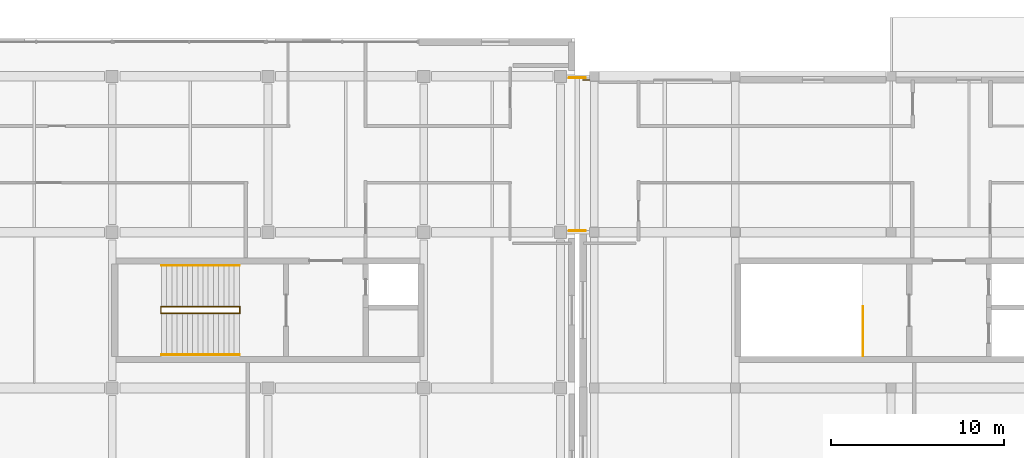
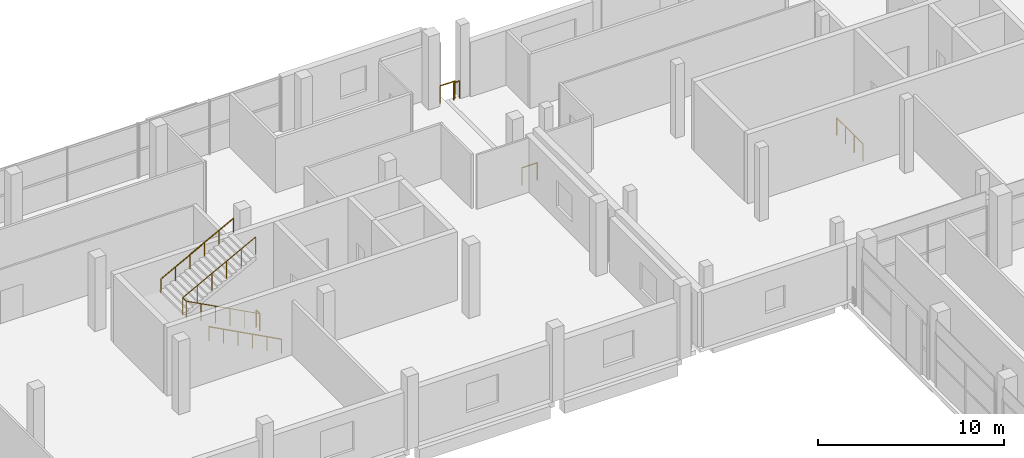
# One storey, part 110 of 111: 8 railings.
"""IFC4 building model written with IfcOpenShell, lengths in metres."""

from ifc_helpers import new_model, si_unit, direction, frame, origin, origin_2d, place, context, subcontext, project, spatial, circle, extrude, material, type_object, element, save


model = new_model("IFC4")

# Units and contexts
model_context = context("Model", 3, precision=1e-05, world=origin(), true_north=direction((0.0, 1.0)))
body_context = subcontext(model_context, "Body", "Model", "MODEL_VIEW")
ifc_project = project(units=[si_unit("LENGTHUNIT", "METRE"), si_unit("AREAUNIT", "SQUARE_METRE"), si_unit("VOLUMEUNIT", "CUBIC_METRE"), si_unit("PLANEANGLEUNIT", "RADIAN"), si_unit("MASSUNIT", "GRAM", prefix="KILO"), si_unit("THERMODYNAMICTEMPERATUREUNIT", "KELVIN"), si_unit("POWERUNIT", "WATT")], contexts=[model_context])

# Site, building, storey
site_placement = place(None, origin())
site = spatial("IfcSite", under=ifc_project, at=site_placement, CompositionType="ELEMENT")
building_placement = place(site_placement, origin())
building = spatial("IfcBuilding", under=site, at=building_placement, Name="Sindhuravela Promenade Stadium", CompositionType="ELEMENT")
storey_placement = place(building_placement, frame((0.0, 0.0, 9.60009765625)))
storey = spatial("IfcBuildingStorey", under=building, at=storey_placement, Name="L02", CompositionType="ELEMENT", Elevation=9.60009765625)

# Railings
ifc_material = material(Name="Architectural wrought steel E350", Category="steel")
railing_type_1 = type_object("IfcRailingType", Name="RL-GRD-1150", PredefinedType="GUARDRAIL", material=ifc_material)
railing_1_placement = place(storey_placement, frame((162.199951171875, 152.800048828125, 0.0)))
element("IfcRailing", 1, at=railing_1_placement, inside=storey, type_object=railing_type_1, Name="Perimeter edge return guard Pavilion NE L02", PredefinedType="GUARDRAIL", context=body_context, shape_type="SweptSolid", body=[
    extrude(circle(Radius=0.02392578125, at=origin_2d()), frame((0.0, 0.0, 1.1259765625), z_axis=(1.0, 0.0, 0.0), x_axis=(0.0, 1.0, 0.0)), (0.0, 0.0, 1.0), 0.3701171875),
    extrude(circle(Radius=0.02099609375, at=origin_2d()), origin(), (0.0, 0.0, 1.0), 1.101806640625),
    extrude(circle(Radius=0.02099609375, at=origin_2d()), frame((0.3701171875, 0.0, 0.0)), (0.0, 0.0, 1.0), 1.101806640625),
])
for number, where, name in (
    (2, (161.39990234375, 144.080078125, 0.0), "Bridge edge guardrail GR01-87"),
    (3, (161.39990234375, 152.919921875, 0.0), "Bridge edge guardrail GR01-88"),
):
    element("IfcRailing", number, at=place(storey_placement, frame(where)), inside=storey, type_object=railing_type_1, Name=name, PredefinedType="GUARDRAIL", context=body_context, shape_type="SweptSolid", body=[
        extrude(circle(Radius=0.02392578125, at=origin_2d()), frame((0.0, 0.0, 1.1259765625), z_axis=(1.0, 0.0, 0.0), x_axis=(0.0, 1.0, 0.0)), (0.0, 0.0, 1.0), 0.9501953125),
        extrude(circle(Radius=0.02099609375, at=origin_2d()), origin(), (0.0, 0.0, 1.0), 1.101806640625),
        extrude(circle(Radius=0.02099609375, at=origin_2d()), frame((0.9501953125, 0.0, 0.0)), (0.0, 0.0, 1.0), 1.101806640625),
    ])
railing_2_placement = place(storey_placement, frame((142.35009765625, 139.31005859375, 0.0)))
element("IfcRailing", 4, at=railing_2_placement, inside=storey, type_object=railing_type_1, Name="Stair ST10 inner well guard (L02)", PredefinedType="GUARDRAIL", context=body_context, shape_type="SweptSolid", body=[
    extrude(circle(Radius=0.02392578125, at=origin_2d()), frame((0.0, 0.0, 1.1259765625), z_axis=(-0.8836546633431795, 0.0, 0.46813933390802775), x_axis=(0.0, -1.0, 0.0)), (0.0, 0.0, 1.0), 5.12646484375),
    extrude(circle(Radius=0.02392578125, at=origin_2d()), frame((-4.530029296875, 0.0, 3.52587890625), z_axis=(0.0, 1.0, 0.0), x_axis=(-1.0, 0.0, 0.0)), (0.0, 0.0, 1.0), 0.3798828125),
    extrude(circle(Radius=0.02392578125, at=origin_2d()), frame((-4.530029296875, 0.3798828125, 3.52587890625), z_axis=(0.8836546633431795, 0.0, 0.46813933390802775), x_axis=(0.0, 1.0, 0.0)), (0.0, 0.0, 1.0), 5.12646484375),
    extrude(circle(Radius=0.02099609375, at=origin_2d()), origin(), (0.0, 0.0, 1.0), 1.101806640625),
    extrude(circle(Radius=0.02099609375, at=origin_2d()), frame((-0.906005859375, 0.0, 0.47998046875)), (0.0, 0.0, 1.0), 1.101806640625),
    extrude(circle(Radius=0.02099609375, at=origin_2d()), frame((-1.81201171875, 0.0, 0.9599609375)), (0.0, 0.0, 1.0), 1.101806640625),
    extrude(circle(Radius=0.02099609375, at=origin_2d()), frame((-2.718017578125, 0.0, 1.43994140625)), (0.0, 0.0, 1.0), 1.101806640625),
    extrude(circle(Radius=0.02099609375, at=origin_2d()), frame((-3.6240234375, 0.0, 1.919921875)), (0.0, 0.0, 1.0), 1.101806640625),
    extrude(circle(Radius=0.02099609375, at=origin_2d()), frame((-4.530029296875, 0.0, 2.39990234375)), (0.0, 0.0, 1.0), 1.101806640625),
    extrude(circle(Radius=0.02099609375, at=origin_2d()), frame((-4.530029296875, 0.3798828125, 2.39990234375)), (0.0, 0.0, 1.0), 1.101806640625),
    extrude(circle(Radius=0.02099609375, at=origin_2d()), frame((-3.6240234375, 0.3798828125, 2.8798828125)), (0.0, 0.0, 1.0), 1.101806640625),
    extrude(circle(Radius=0.02099609375, at=origin_2d()), frame((-2.718017578125, 0.3798828125, 3.35986328125)), (0.0, 0.0, 1.0), 1.101806640625),
    extrude(circle(Radius=0.02099609375, at=origin_2d()), frame((-1.81201171875, 0.3798828125, 3.83984375)), (0.0, 0.0, 1.0), 1.101806640625),
    extrude(circle(Radius=0.02099609375, at=origin_2d()), frame((-0.906005859375, 0.3798828125, 4.31982421875)), (0.0, 0.0, 1.0), 1.101806640625),
    extrude(circle(Radius=0.02099609375, at=origin_2d()), frame((0.0, 0.3798828125, 4.7998046875)), (0.0, 0.0, 1.0), 1.101806640625),
])
railing_3_placement = place(storey_placement, frame((142.3798828125, 139.31005859375, 0.0)))
element("IfcRailing", 5, at=railing_3_placement, inside=storey, type_object=railing_type_1, Name="Stair ST10 landing well slot guard (L02)", PredefinedType="GUARDRAIL", context=body_context, shape_type="SweptSolid", body=[
    extrude(circle(Radius=0.02392578125, at=origin_2d()), frame((0.0, 0.0, 1.1259765625), z_axis=(0.0, 1.0, 0.0), x_axis=(-1.0, 0.0, 0.0)), (0.0, 0.0, 1.0), 0.3798828125),
    extrude(circle(Radius=0.02099609375, at=origin_2d()), origin(), (0.0, 0.0, 1.0), 1.101806640625),
    extrude(circle(Radius=0.02099609375, at=origin_2d()), frame((0.0, 0.3798828125, 0.0)), (0.0, 0.0, 1.0), 1.101806640625),
])
railing_4_placement = place(storey_placement, frame((178.3798828125, 136.860107421875, 0.0)))
element("IfcRailing", 6, at=railing_4_placement, inside=storey, type_object=railing_type_1, Name="Stair GS04 top landing well guard (L02)", PredefinedType="GUARDRAIL", context=body_context, shape_type="SweptSolid", body=[
    extrude(circle(Radius=0.02392578125, at=origin_2d()), frame((0.0, 0.0, 1.1259765625), z_axis=(0.0, 1.0, 0.0), x_axis=(-1.0, 0.0, 0.0)), (0.0, 0.0, 1.0), 2.829833984375),
    extrude(circle(Radius=0.02099609375, at=origin_2d()), origin(), (0.0, 0.0, 1.0), 1.101806640625),
    extrude(circle(Radius=0.02099609375, at=origin_2d()), frame((0.0, 0.943359375, 0.0)), (0.0, 0.0, 1.0), 1.101806640625),
    extrude(circle(Radius=0.02099609375, at=origin_2d()), frame((0.0, 1.886474609375, 0.0)), (0.0, 0.0, 1.0), 1.101806640625),
    extrude(circle(Radius=0.02099609375, at=origin_2d()), frame((0.0, 2.829833984375, 0.0)), (0.0, 0.0, 1.0), 1.101806640625),
])
railing_type_2 = type_object("IfcRailingType", Name="RL-HND-920", PredefinedType="HANDRAIL", material=ifc_material)
railing_5_placement = place(storey_placement, frame((142.35009765625, 136.919921875, 0.0)))
element("IfcRailing", 7, at=railing_5_placement, inside=storey, type_object=railing_type_2, Name="Stair ST10 lower wall handrail (L02)", PredefinedType="HANDRAIL", context=body_context, shape_type="SweptSolid", body=[
    extrude(circle(Radius=0.02392578125, at=origin_2d()), frame((0.0, 0.0, 0.89599609375), z_axis=(-0.8823608919668723, 0.0, 0.4705733272588083), x_axis=(0.0, -1.0, 0.0)), (0.0, 0.0, 1.0), 5.099853515625),
    extrude(circle(Radius=0.02099609375, at=origin_2d()), origin(), (0.0, 0.0, 1.0), 0.871826171875),
    extrude(circle(Radius=0.02099609375, at=origin_2d()), frame((-0.89990234375, 0.0, 0.47998046875)), (0.0, 0.0, 1.0), 0.871826171875),
    extrude(circle(Radius=0.02099609375, at=origin_2d()), frame((-1.800048828125, 0.0, 0.9599609375)), (0.0, 0.0, 1.0), 0.871826171875),
    extrude(circle(Radius=0.02099609375, at=origin_2d()), frame((-2.699951171875, 0.0, 1.43994140625)), (0.0, 0.0, 1.0), 0.871826171875),
    extrude(circle(Radius=0.02099609375, at=origin_2d()), frame((-3.60009765625, 0.0, 1.919921875)), (0.0, 0.0, 1.0), 0.871826171875),
    extrude(circle(Radius=0.02099609375, at=origin_2d()), frame((-4.5, 0.0, 2.39990234375)), (0.0, 0.0, 1.0), 0.871826171875),
])
railing_6_placement = place(storey_placement, frame((137.85009765625, 142.080078125, 2.39990234375)))
element("IfcRailing", 8, at=railing_6_placement, inside=storey, type_object=railing_type_2, Name="Stair ST10 upper wall handrail (L02)", PredefinedType="HANDRAIL", context=body_context, shape_type="SweptSolid", body=[
    extrude(circle(Radius=0.02392578125, at=origin_2d()), frame((0.0, 0.0, 0.89599609375), z_axis=(0.8823608919668723, 0.0, 0.4705733272588083), x_axis=(0.0, 1.0, 0.0)), (0.0, 0.0, 1.0), 5.099853515625),
    extrude(circle(Radius=0.02099609375, at=origin_2d()), origin(), (0.0, 0.0, 1.0), 0.871826171875),
    extrude(circle(Radius=0.02099609375, at=origin_2d()), frame((0.89990234375, 0.0, 0.47998046875)), (0.0, 0.0, 1.0), 0.871826171875),
    extrude(circle(Radius=0.02099609375, at=origin_2d()), frame((1.800048828125, 0.0, 0.9599609375)), (0.0, 0.0, 1.0), 0.871826171875),
    extrude(circle(Radius=0.02099609375, at=origin_2d()), frame((2.699951171875, 0.0, 1.43994140625)), (0.0, 0.0, 1.0), 0.871826171875),
    extrude(circle(Radius=0.02099609375, at=origin_2d()), frame((3.60009765625, 0.0, 1.919921875)), (0.0, 0.0, 1.0), 0.871826171875),
    extrude(circle(Radius=0.02099609375, at=origin_2d()), frame((4.5, 0.0, 2.39990234375)), (0.0, 0.0, 1.0), 0.871826171875),
])

save(model, "model.ifc")
